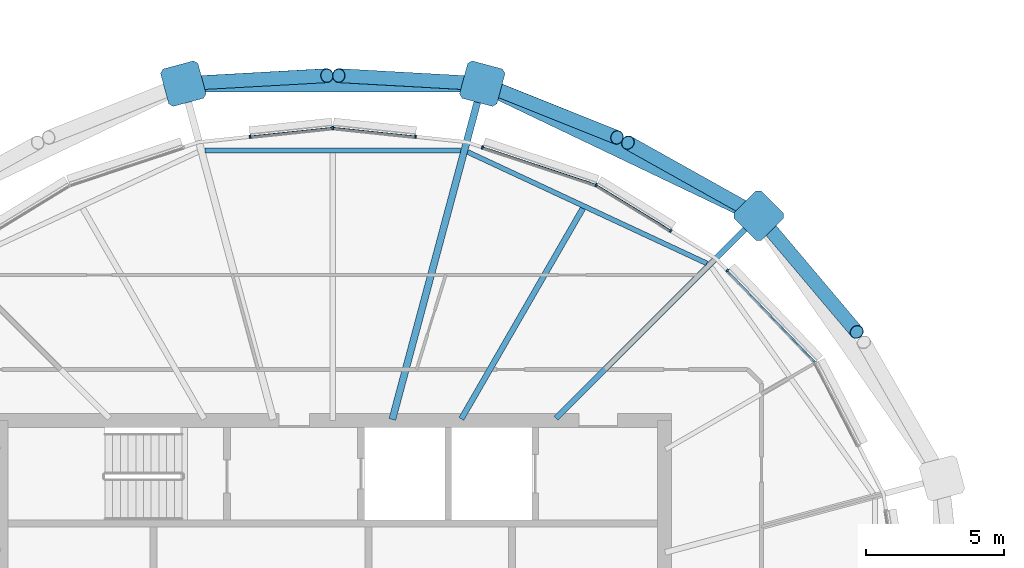
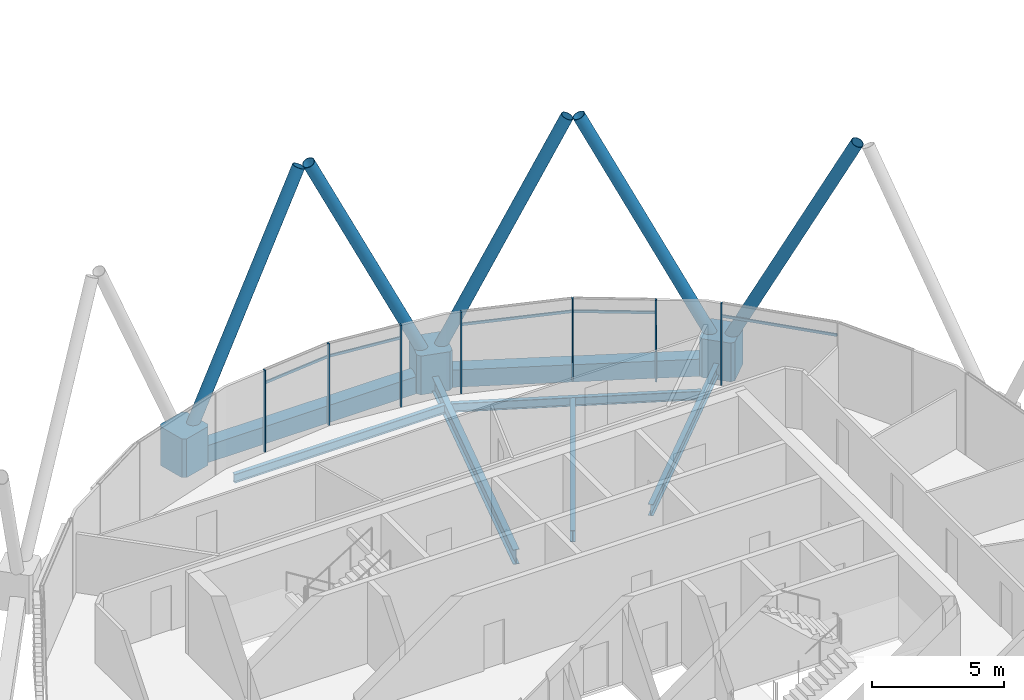
# One storey, part 9 of 34: 20 members, 7 beams, 1 element without a shape of its own.
"""IFC4 building model written with IfcOpenShell, lengths in metres."""

from ifc_helpers import new_model, si_unit, direction, frame, origin, origin_2d, place, context, subcontext, project, spatial, polyline, rectangle, hollow_rectangle, hollow_circle, i_section, outline, extrude, material, material_profile, profile_set, type_object, element, aggregate, save


model = new_model("IFC4")

# Units and contexts
model_context = context("Model", 3, precision=1e-05, world=origin(), true_north=direction((0.0, 1.0)))
body_context = subcontext(model_context, "Body", "Model", "MODEL_VIEW")
ifc_project = project(units=[si_unit("LENGTHUNIT", "METRE"), si_unit("AREAUNIT", "SQUARE_METRE"), si_unit("VOLUMEUNIT", "CUBIC_METRE"), si_unit("PLANEANGLEUNIT", "RADIAN"), si_unit("MASSUNIT", "GRAM", prefix="KILO")], contexts=[model_context])

# Site, building, storey
site_placement = place(None, origin())
site = spatial("IfcSite", under=ifc_project, at=site_placement, CompositionType="ELEMENT")
building_placement = place(site_placement, origin())
building = spatial("IfcBuilding", under=site, at=building_placement, Name="Rimbun Link Towers", CompositionType="ELEMENT")
storey_placement = place(building_placement, frame((0.0, 0.0, 221.89990234375)))
storey = spatial("IfcBuildingStorey", under=building, at=storey_placement, Name="L54", CompositionType="ELEMENT", Elevation=221.89990234375)

# Curtain wall, members
ifc_material_1 = material(Name="Aluminium 6063-T6 and low-iron glass", Category="aluminium")
curtain_wall_type = type_object("IfcCurtainWallType", Name="CW1-Z4 unitised vision wall (zone 4)", PredefinedType="NOTDEFINED", material=ifc_material_1)
curtain_wall_placement = place(storey_placement, origin())
curtain_wall = element("IfcCurtainWall", 1, at=curtain_wall_placement, inside=storey, type_object=curtain_wall_type, Name="CW1 L54 T1", PredefinedType="NOTDEFINED")
ifc_material_2 = material(Name="Aluminium 6063-T6", Category="aluminium")
ifc_material_profile_1 = material_profile(ifc_material_2, rectangle(XDim=0.1201171875, YDim=0.06005859375, at=origin_2d()), Name="MULLION 60X120")
ifc_profile_set_1 = profile_set([ifc_material_profile_1], Name="Aluminium 6063-T6")
member_type_1 = type_object("IfcMemberType", Name="CW1 mullion 60X120", PredefinedType="MULLION", material=ifc_profile_set_1)
member_1_placement = place(storey_placement, frame((-17.4765625, 13.42333984375, 0.0), z_axis=(0.0, 0.0, 1.0), x_axis=(0.721853472084, 0.692045926829, 0.0)))
member_1 = element("IfcMember", 2, at=member_1_placement, type_object=member_type_1, Name="CW1 mullion", PredefinedType="MULLION", context=body_context, shape_type="SweptSolid", body=[
    extrude(rectangle(XDim=0.1201171875, YDim=0.06005859375, at=origin_2d()), origin(), (0.0, 0.0, 1.0), 3.800048828125),
])
member_2_placement = place(storey_placement, frame((-22.220458984375, 16.51611328125, 0.0), z_axis=(0.0, 0.0, 1.0), x_axis=(0.421702193119, 0.90673439348, 0.0)))
member_2 = element("IfcMember", 3, at=member_2_placement, type_object=member_type_1, Name="CW1 mullion", PredefinedType="MULLION", context=body_context, shape_type="SweptSolid", body=[
    extrude(rectangle(XDim=0.1201171875, YDim=0.06005859375, at=origin_2d()), origin(), (0.0, 0.0, 1.0), 3.800048828125),
])
member_3_placement = place(storey_placement, frame((-19.522705078125, 14.8603515625, 0.0), z_axis=(0.0, 0.0, 1.0), x_axis=(0.523236839844, 0.852187308888, 0.0)))
member_3 = element("IfcMember", 4, at=member_3_placement, type_object=member_type_1, Name="CW1 mullion", PredefinedType="MULLION", context=body_context, shape_type="SweptSolid", body=[
    extrude(rectangle(XDim=0.1201171875, YDim=0.06005859375, at=origin_2d()), origin(), (0.0, 0.0, 1.0), 3.800048828125),
])
member_4_placement = place(storey_placement, frame((-26.335205078125, 17.880126953125, 0.0), z_axis=(0.0, 0.0, 1.0), x_axis=(0.314565372391, 0.949235811847, 0.0)))
member_4 = element("IfcMember", 5, at=member_4_placement, type_object=member_type_1, Name="CW1 mullion", PredefinedType="MULLION", context=body_context, shape_type="SweptSolid", body=[
    extrude(rectangle(XDim=0.1201171875, YDim=0.06005859375, at=origin_2d()), origin(), (0.0, 0.0, 1.0), 3.800048828125),
])
member_5_placement = place(storey_placement, frame((-31.75, 18.580322265625, 0.0), z_axis=(0.0, 0.0, 1.0), x_axis=(0.0, 1.0, 0.0)))
member_5 = element("IfcMember", 6, at=member_5_placement, type_object=member_type_1, Name="CW1 mullion", PredefinedType="MULLION", context=body_context, shape_type="SweptSolid", body=[
    extrude(rectangle(XDim=0.1201171875, YDim=0.06005859375, at=origin_2d()), origin(), (0.0, 0.0, 1.0), 3.800048828125),
])
member_6_placement = place(storey_placement, frame((-28.75732421875, 18.265380859375, 0.0), z_axis=(0.0, 0.0, 1.0), x_axis=(0.104739488627, 0.994499693073, 0.0)))
member_6 = element("IfcMember", 7, at=member_6_placement, type_object=member_type_1, Name="CW1 mullion", PredefinedType="MULLION", context=body_context, shape_type="SweptSolid", body=[
    extrude(rectangle(XDim=0.1201171875, YDim=0.06005859375, at=origin_2d()), origin(), (0.0, 0.0, 1.0), 3.800048828125),
])
member_7_placement = place(storey_placement, frame((-34.74267578125, 18.265380859375, 0.0), z_axis=(0.0, 0.0, 1.0), x_axis=(-0.104739488627, 0.994499693073, 0.0)))
member_7 = element("IfcMember", 8, at=member_7_placement, type_object=member_type_1, Name="CW1 mullion", PredefinedType="MULLION", context=body_context, shape_type="SweptSolid", body=[
    extrude(rectangle(XDim=0.1201171875, YDim=0.06005859375, at=origin_2d()), origin(), (0.0, 0.0, 1.0), 3.800048828125),
])
ifc_material_3 = material(Name="Aluminium 6063-T6", Category="aluminium")
ifc_material_profile_2 = material_profile(ifc_material_3, rectangle(XDim=0.06005859375, YDim=0.1201171875, at=origin_2d()), Name="TRANSOM 60X120")
ifc_profile_set_2 = profile_set([ifc_material_profile_2], Name="Aluminium 6063-T6")
member_type_2 = type_object("IfcMemberType", Name="CW1 transom 60X120", PredefinedType="USERDEFINED", material=ifc_profile_set_2)
member_8_placement = place(storey_placement, frame((-17.45703125, 13.400390625, 3.2001953125), z_axis=(0.692048801136, -0.721850716455, 0.0), x_axis=(0.721850716455, 0.692048801136, 0.0)))
member_8 = element("IfcMember", 9, at=member_8_placement, type_object=member_type_2, Name="CW1 transom", ObjectType="TRANSOM", PredefinedType="USERDEFINED", context=body_context, shape_type="SweptSolid", body=[
    extrude(rectangle(XDim=0.06005859375, YDim=0.1201171875, at=origin_2d()), origin(), (0.0, 0.0, 1.0), 4.546630859375),
])
member_9_placement = place(storey_placement, frame((-22.18994140625, 16.49560546875, 3.2001953125), z_axis=(0.852185401851, -0.523239945792, 0.0), x_axis=(0.523239945792, 0.852185401851, 0.0)))
member_9 = element("IfcMember", 10, at=member_9_placement, type_object=member_type_2, Name="CW1 transom", ObjectType="TRANSOM", PredefinedType="USERDEFINED", context=body_context, shape_type="SweptSolid", body=[
    extrude(rectangle(XDim=0.06005859375, YDim=0.1201171875, at=origin_2d()), origin(), (0.0, 0.0, 1.0), 3.0986328125),
])
member_10_placement = place(storey_placement, frame((-26.307373046875, 17.868896484375, 3.2001953125), z_axis=(0.949236712638, -0.31456265414, 0.0), x_axis=(0.31456265414, 0.949236712638, 0.0)))
member_10 = element("IfcMember", 11, at=member_10_placement, type_object=member_type_2, Name="CW1 transom", ObjectType="TRANSOM", PredefinedType="USERDEFINED", context=body_context, shape_type="SweptSolid", body=[
    extrude(rectangle(XDim=0.06005859375, YDim=0.1201171875, at=origin_2d()), origin(), (0.0, 0.0, 1.0), 4.267822265625),
])
member_11_placement = place(storey_placement, frame((-31.714111328125, 18.574951171875, 3.2001953125), z_axis=(0.994495902979, -0.104775469258, 0.0), x_axis=(0.104775469258, 0.994495902979, 0.0)))
member_11 = element("IfcMember", 12, at=member_11_placement, type_object=member_type_2, Name="CW1 transom", ObjectType="TRANSOM", PredefinedType="USERDEFINED", context=body_context, shape_type="SweptSolid", body=[
    extrude(rectangle(XDim=0.06005859375, YDim=0.1201171875, at=origin_2d()), origin(), (0.0, 0.0, 1.0), 2.94287109375),
])
member_12_placement = place(storey_placement, frame((-34.712646484375, 18.2666015625, 3.2001953125), z_axis=(0.994495902979, 0.104775469258, 0.0), x_axis=(-0.104775469258, 0.994495902979, 0.0)))
member_12 = element("IfcMember", 13, at=member_12_placement, type_object=member_type_2, Name="CW1 transom", ObjectType="TRANSOM", PredefinedType="USERDEFINED", context=body_context, shape_type="SweptSolid", body=[
    extrude(rectangle(XDim=0.06005859375, YDim=0.1201171875, at=origin_2d()), origin(), (0.0, 0.0, 1.0), 2.94287109375),
])
aggregate(curtain_wall, [member_1, member_2, member_3, member_4, member_5, member_6, member_7, member_8, member_9, member_10, member_11, member_12])

# Members
ifc_material_4 = material(Name="Steel S355J2H", Category="steel")
ifc_material_profile_3 = material_profile(ifc_material_4, hollow_circle(Radius=0.25390625, WallThickness=0.02001953125, at=origin_2d()), Name="Diagrid diagonal CHS 508x20")
ifc_profile_set_3 = profile_set([ifc_material_profile_3], Name="Steel S355J2H")
member_type_3 = type_object("IfcMemberType", Name="Diagrid diagonal CHS 508x20", PredefinedType="BRACE", material=ifc_profile_set_3)
member_13_placement = place(storey_placement, frame((-16.19921875, 15.234375, 0.44677734375), z_axis=(0.28955822764, -0.343167817756, 0.893527773302), x_axis=(0.764280087871, 0.644884444908, 0.0)))
element("IfcMember", 14, at=member_13_placement, inside=storey, type_object=member_type_3, Name="Diagrid diagonal T1 L54-L57 03a", PredefinedType="BRACE", context=body_context, shape_type="SweptSolid", body=[
    extrude(hollow_circle(Radius=0.25390625, WallThickness=0.02001953125, at=origin_2d()), origin(), (0.0, 0.0, 1.0), 11.758544921875),
])
member_14_placement = place(storey_placement, frame((-16.53759765625, 15.51416015625, 0.4482421875), z_axis=(-0.387003624061, 0.2164186933, 0.896320893516), x_axis=(-0.488082495623, -0.872797500837, 0.0)))
element("IfcMember", 15, at=member_14_placement, inside=storey, type_object=member_type_3, Name="Diagrid diagonal T1 L54-L57 03b", PredefinedType="BRACE", context=body_context, shape_type="SweptSolid", body=[
    extrude(hollow_circle(Radius=0.25390625, WallThickness=0.02001953125, at=origin_2d()), origin(), (0.0, 0.0, 1.0), 11.71875),
])
member_15_placement = place(storey_placement, frame((-26.140625, 20.10498046875, 0.450927734375), z_axis=(0.401435763468, -0.160318466892, 0.901746814235), x_axis=(0.370880399391, 0.928680639051, 0.0)))
element("IfcMember", 16, at=member_15_placement, inside=storey, type_object=member_type_3, Name="Diagrid diagonal T1 L54-L57 05a", PredefinedType="BRACE", context=body_context, shape_type="SweptSolid", body=[
    extrude(hollow_circle(Radius=0.25390625, WallThickness=0.02001953125, at=origin_2d()), origin(), (0.0, 0.0, 1.0), 11.64208984375),
])
for number, where, z_axis, x_axis, name in (
    (17, (-26.5556640625, 20.197265625, 0.45166015625), (-0.428512277555, 0.023885599548, 0.903220186953), (-0.055654365999, -0.998450094669, 0.0), "Diagrid diagonal T1 L54-L57 05b"),
    (18, (-36.9443359375, 20.197265625, 0.45166015625), (0.428512277555, 0.023885599548, 0.903220186953), (-0.055654365999, 0.998450094669, 0.0), "Diagrid diagonal T1 L54-L57 07a"),
):
    element("IfcMember", number, at=place(storey_placement, frame(where, z_axis=z_axis, x_axis=x_axis)), inside=storey, type_object=member_type_3, Name=name, PredefinedType="BRACE", context=body_context, shape_type="SweptSolid", body=[
        extrude(hollow_circle(Radius=0.25390625, WallThickness=0.02001953125, at=origin_2d()), origin(), (0.0, 0.0, 1.0), 11.62158203125),
    ])
ifc_material_5 = material(Name="Cast steel G20Mn5+QT, Rp0.2 300 MPa", Category="steel")
ifc_material_profile_4 = material_profile(ifc_material_5, outline(polyline([(0.699951171875, -0.570068359375), (0.699951171875, 0.570068359375), (0.570068359375, 0.699951171875), (-0.570068359375, 0.699951171875), (-0.699951171875, 0.570068359375), (-0.699951171875, -0.570068359375), (-0.570068359375, -0.699951171875), (0.570068359375, -0.699951171875), (0.699951171875, -0.570068359375)])), Name="NODE 1400x1400")
ifc_profile_set_4 = profile_set([ifc_material_profile_4], Name="Cast steel G20Mn5+QT, Rp0.2 300 MPa")
member_type_4 = type_object("IfcMemberType", Name="Diagrid node cast 1400", PredefinedType="USERDEFINED", material=ifc_profile_set_4)
for number, where, z_axis, x_axis, name in (
    (19, (-16.343994140625, 15.406005859375, -0.89990234375), (0.0, 0.0, 1.0), (0.707106781187, 0.707106781187, 0.0), "Diagrid node L54 03"),
    (20, (-26.34130859375, 20.185302734375, -0.89990234375), (0.0, 0.0, 1.0), (0.258819045103, 0.965925826289, 0.0), "Diagrid node L54 05"),
    (21, (-37.15869140625, 20.185302734375, -0.89990234375), (0.0, 0.0, 1.0), (-0.258819045103, 0.965925826289, 0.0), "Diagrid node L54 07"),
):
    element("IfcMember", number, at=place(storey_placement, frame(where, z_axis=z_axis, x_axis=x_axis)), inside=storey, type_object=member_type_4, Name=name, ObjectType="Diagrid node", PredefinedType="USERDEFINED", context=body_context, shape_type="SweptSolid", body=[
        extrude(outline(polyline([(0.699951171875, -0.570068359375), (0.699951171875, 0.570068359375), (0.570068359375, 0.699951171875), (-0.570068359375, 0.699951171875), (-0.699951171875, 0.570068359375), (-0.699951171875, -0.570068359375), (-0.570068359375, -0.699951171875), (0.570068359375, -0.699951171875), (0.699951171875, -0.570068359375)])), origin(), (0.0, 0.0, 1.0), 1.800048828125),
    ])

# Beams
ifc_material_6 = material(Name="Steel S355J2", Category="steel")
ifc_material_profile_5 = material_profile(ifc_material_6, hollow_rectangle(XDim=0.60009765625, YDim=0.800048828125, WallThickness=0.0400390625, at=origin_2d()), Name="Exoskeleton ring girder BOX 600x800x40")
ifc_profile_set_5 = profile_set([ifc_material_profile_5], Name="Steel S355J2")
beam_type_1 = type_object("IfcBeamType", Name="Exoskeleton ring girder BOX 600x800x40", PredefinedType="BEAM", material=ifc_profile_set_5)
beam_1_placement = place(storey_placement, frame((-16.9755859375, 15.707763671875, -0.559814453125), z_axis=(-0.902205479774, 0.431306471393, 0.0), x_axis=(-0.431306471393, -0.902205479774, 0.0)))
element("IfcBeam", 22, at=beam_1_placement, inside=storey, type_object=beam_type_1, Name="Exoskeleton ring girder L54 01", PredefinedType="BEAM", context=body_context, shape_type="SweptSolid", body=[
    extrude(hollow_rectangle(XDim=0.60009765625, YDim=0.800048828125, WallThickness=0.0400390625, at=origin_2d()), origin(), (0.0, 0.0, 1.0), 9.68115234375),
])
beam_2_placement = place(storey_placement, frame((-27.04150390625, 20.185302734375, -0.559814453125), z_axis=(-1.0, 0.0, 0.0), x_axis=(0.0, -1.0, 0.0)))
element("IfcBeam", 23, at=beam_2_placement, inside=storey, type_object=beam_type_1, Name="Exoskeleton ring girder L54 02", PredefinedType="BEAM", context=body_context, shape_type="SweptSolid", body=[
    extrude(hollow_rectangle(XDim=0.60009765625, YDim=0.800048828125, WallThickness=0.0400390625, at=origin_2d()), origin(), (0.0, 0.0, 1.0), 9.4169921875),
])
ifc_material_7 = material(Name="Steel S355J2", Category="steel")
ifc_material_profile_6 = material_profile(ifc_material_7, i_section(OverallWidth=0.177978515625, OverallDepth=0.406494140625, WebThickness=0.0078125, FlangeThickness=0.0126953125, at=origin_2d()), Name="UB 406x178x60")
ifc_profile_set_6 = profile_set([ifc_material_profile_6], Name="Steel S355J2")
beam_type_2 = type_object("IfcBeamType", Name="UB 406x178x60", PredefinedType="BEAM", material=ifc_profile_set_6)
beam_3_placement = place(storey_placement, frame((-18.218505859375, 13.6806640625, -0.343017578125), z_axis=(-0.906428649368, 0.422358974813, 0.0), x_axis=(-0.422358974813, -0.906428649368, 0.0)))
element("IfcBeam", 24, at=beam_3_placement, inside=storey, type_object=beam_type_2, Name="Edge beam T1 L54 03-05", PredefinedType="BEAM", context=body_context, shape_type="SweptSolid", body=[
    extrude(i_section(OverallWidth=0.177978515625, OverallDepth=0.406494140625, WebThickness=0.0078125, FlangeThickness=0.0126953125, at=origin_2d()), origin(), (0.0, 0.0, 1.0), 9.54638671875),
])
beam_4_placement = place(storey_placement, frame((-27.12158203125, 17.767578125, -0.343017578125), z_axis=(-1.0, 0.0, 0.0), x_axis=(0.0, -1.0, 0.0)))
element("IfcBeam", 25, at=beam_4_placement, inside=storey, type_object=beam_type_2, Name="Edge beam T1 L54 05-07", PredefinedType="BEAM", context=body_context, shape_type="SweptSolid", body=[
    extrude(i_section(OverallWidth=0.177978515625, OverallDepth=0.406494140625, WebThickness=0.0078125, FlangeThickness=0.0126953125, at=origin_2d()), origin(), (0.0, 0.0, 1.0), 9.2568359375),
])
ifc_material_8 = material(Name="Steel S355J2", Category="steel")
ifc_material_profile_7 = material_profile(ifc_material_8, i_section(OverallWidth=0.209228515625, OverallDepth=0.533203125, WebThickness=0.010009765625, FlangeThickness=0.015625, at=origin_2d()), Name="UB 533x210x92")
ifc_profile_set_7 = profile_set([ifc_material_profile_7], Name="Steel S355J2")
beam_type_3 = type_object("IfcBeamType", Name="UB 533x210x92", PredefinedType="BEAM", material=ifc_profile_set_7)
beam_5_placement = place(storey_placement, frame((-23.67529296875, 8.07470703125, -0.406494140625), z_axis=(0.707106781187, 0.707106781187, 0.0), x_axis=(-0.707106781187, 0.707106781187, 0.0)))
element("IfcBeam", 26, at=beam_5_placement, inside=storey, type_object=beam_type_3, Name="Radial beam T1 L54 03", PredefinedType="BEAM", context=body_context, shape_type="SweptSolid", body=[
    extrude(i_section(OverallWidth=0.209228515625, OverallDepth=0.533203125, WebThickness=0.010009765625, FlangeThickness=0.015625, at=origin_2d()), origin(), (0.0, 0.0, 1.0), 9.86767578125),
])
beam_6_placement = place(storey_placement, frame((-27.1005859375, 8.05322265625, -0.406494140625), z_axis=(0.500010759992, 0.866019191411, 0.0), x_axis=(-0.866019191411, 0.500010759992, 0.0)))
element("IfcBeam", 27, at=beam_6_placement, inside=storey, type_object=beam_type_3, Name="Radial beam T1 L54 04", PredefinedType="BEAM", context=body_context, shape_type="SweptSolid", body=[
    extrude(i_section(OverallWidth=0.209228515625, OverallDepth=0.533203125, WebThickness=0.010009765625, FlangeThickness=0.015625, at=origin_2d()), origin(), (0.0, 0.0, 1.0), 8.796142578125),
])
ifc_material_9 = material(Name="Steel S355J2", Category="steel")
ifc_material_profile_8 = material_profile(ifc_material_9, i_section(OverallWidth=0.253662109375, OverallDepth=0.68359375, WebThickness=0.012451171875, FlangeThickness=0.01904296875, at=origin_2d()), Name="UB 686x254x140")
ifc_profile_set_8 = profile_set([ifc_material_profile_8], Name="Steel S355J2")
beam_type_4 = type_object("IfcBeamType", Name="UB 686x254x140", PredefinedType="BEAM", material=ifc_profile_set_8)
beam_7_placement = place(storey_placement, frame((-29.597412109375, 8.03369140625, -0.481689453125), z_axis=(0.258825990636, 0.965923965212, 0.0), x_axis=(-0.965923965212, 0.258825990636, 0.0)))
element("IfcBeam", 28, at=beam_7_placement, inside=storey, type_object=beam_type_4, Name="Radial beam T1 L54 05", PredefinedType="BEAM", context=body_context, shape_type="SweptSolid", body=[
    extrude(i_section(OverallWidth=0.253662109375, OverallDepth=0.68359375, WebThickness=0.012451171875, FlangeThickness=0.01904296875, at=origin_2d()), origin(), (0.0, 0.0, 1.0), 12.080322265625),
])

save(model, "model.ifc")
